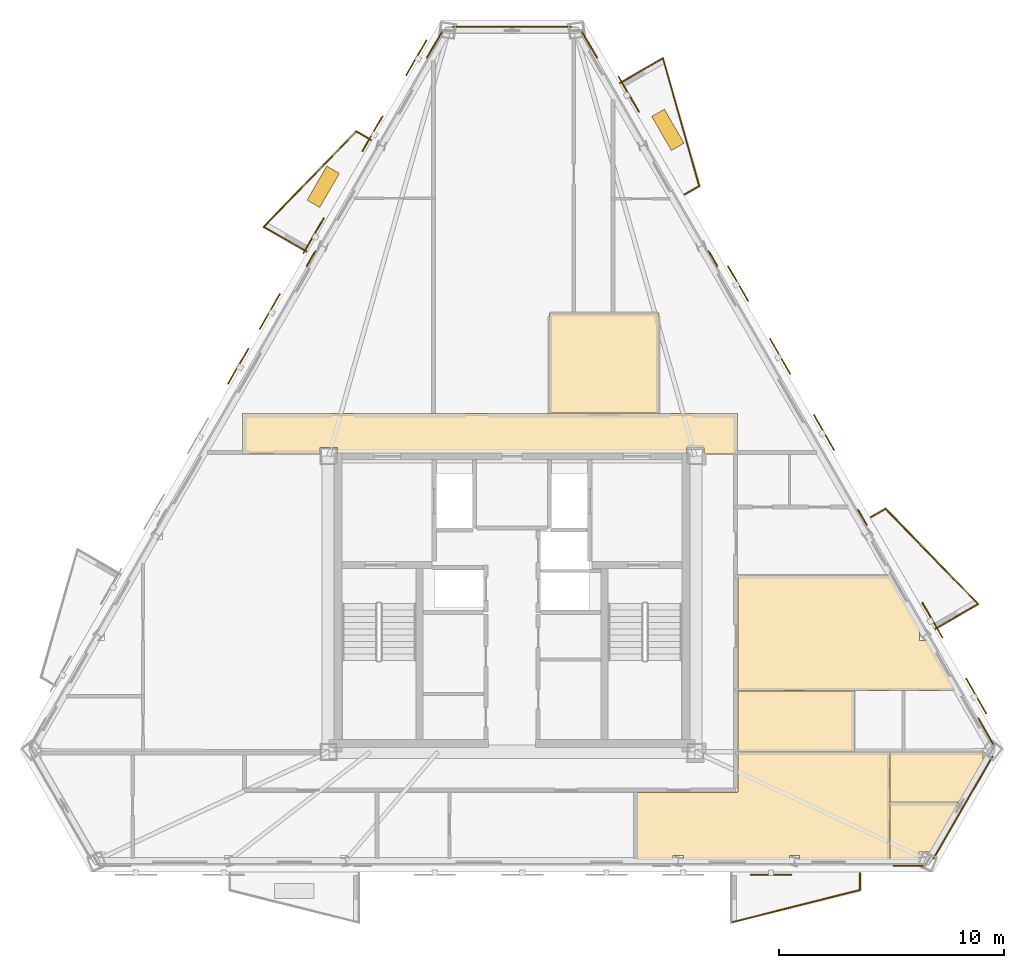
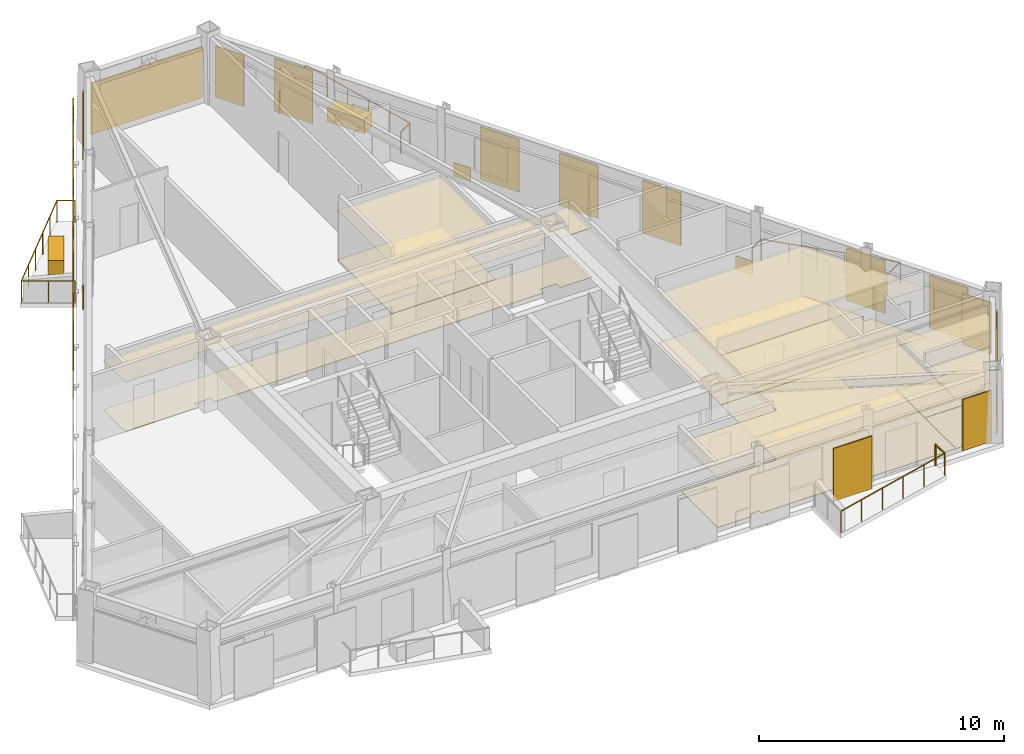
# One storey, part 8 of 8: 25 coverings, 12 shading devices, 11 railings.
"""IFC4 building model written with IfcOpenShell, lengths in metres."""

from ifc_helpers import new_model, si_unit, direction, frame, origin, origin_2d, place, context, subcontext, project, spatial, polyline, rectangle, circle, outline, extrude, material, layer, layer_set, type_object, element, save


model = new_model("IFC4")

# Units and contexts
model_context = context("Model", 3, precision=1e-05, world=origin(), true_north=direction((0.0, 1.0)))
body_context = subcontext(model_context, "Body", "Model", "MODEL_VIEW")
ifc_project = project(units=[si_unit("LENGTHUNIT", "METRE"), si_unit("AREAUNIT", "SQUARE_METRE"), si_unit("VOLUMEUNIT", "CUBIC_METRE"), si_unit("PLANEANGLEUNIT", "RADIAN"), si_unit("MASSUNIT", "GRAM", prefix="KILO")], contexts=[model_context])

# Site, building, storey
site_placement = place(None, origin())
site = spatial("IfcSite", under=ifc_project, at=site_placement, CompositionType="ELEMENT")
building_placement = place(site_placement, origin())
building = spatial("IfcBuilding", under=site, at=building_placement, Name="Oramaril Tower", CompositionType="ELEMENT")
storey_placement = place(building_placement, frame((0.0, 0.0, 241.5)))
storey = spatial("IfcBuildingStorey", under=building, at=storey_placement, Name="L64", CompositionType="ELEMENT", Elevation=241.5)

# Coverings
ifc_material_1 = material(Name="Mineral Fibre Acoustic Ceiling")
ifc_layer_1 = layer(ifc_material_1, 0.02001953125)
ifc_layer_set_1 = layer_set([ifc_layer_1], Name="CVT-CEIL")
covering_type_1 = type_object("IfcCoveringType", Name="CVT-CEIL", PredefinedType="CEILING", material=ifc_layer_set_1)
covering_1_placement = place(storey_placement, frame((0.0, 0.0, 2.471923828125)))
element("IfcCovering", 1, at=covering_1_placement, inside=storey, type_object=covering_type_1, Name="L64 Acoustic Suspended Ceiling 2", PredefinedType="CEILING", context=body_context, shape_type="SweptSolid", body=[
    extrude(outline(polyline([(47.530029296875, 24.239990234375), (46.044921875, 24.239990234375), (46.044921875, 24.544921875), (45.2548828125, 24.544921875), (45.2548828125, 24.25), (29.7451171875, 24.25), (29.7451171875, 24.544921875), (28.955078125, 24.544921875), (28.955078125, 24.239990234375), (25.52001953125, 24.239990234375), (25.52001953125, 26.050048828125), (47.530029296875, 26.050048828125), (47.530029296875, 24.239990234375)])), origin(), (0.0, 0.0, 1.0), 0.02001953125),
])
covering_2_placement = place(storey_placement, frame((0.0, 0.0, 2.471923828125)))
element("IfcCovering", 2, at=covering_2_placement, inside=storey, type_object=covering_type_1, Name="L64 Acoustic Suspended Ceiling 4", PredefinedType="CEILING", context=body_context, shape_type="SweptSolid", body=[
    extrude(outline(polyline([(44.0419921875, 30.511962890625), (44.0419921875, 26.070068359375), (39.157958984375, 26.070068359375), (39.157958984375, 30.511962890625), (44.0419921875, 30.511962890625)])), origin(), (0.0, 0.0, 1.0), 0.02001953125),
])
covering_3_placement = place(storey_placement, frame((0.0, 0.0, 2.471923828125)))
element("IfcCovering", 3, at=covering_3_placement, inside=storey, type_object=covering_type_1, Name="L64 Acoustic Suspended Ceiling 9", PredefinedType="CEILING", context=body_context, shape_type="SweptSolid", body=[
    extrude(outline(polyline([(54.29150390625, 10.991943359375), (54.29150390625, 6.21337890625), (50.30029296875, 6.21337890625), (50.30029296875, 6.3876953125), (49.843994140625, 6.3876953125), (49.843994140625, 6.21337890625), (45.119873046875, 6.21337890625), (45.119873046875, 6.3876953125), (44.670654296875, 6.3876953125), (44.670654296875, 6.21337890625), (43.06201171875, 6.21337890625), (43.06201171875, 9.199951171875), (47.530029296875, 9.199951171875), (47.531982421875, 9.2001953125), (47.533935546875, 9.200439453125), (47.535888671875, 9.200927734375), (47.53759765625, 9.201416015625), (47.539306640625, 9.202392578125), (47.541015625, 9.203369140625), (47.542724609375, 9.20458984375), (47.544189453125, 9.205810546875), (47.54541015625, 9.207275390625), (47.546630859375, 9.208984375), (47.547607421875, 9.210693359375), (47.548583984375, 9.21240234375), (47.549072265625, 9.214111328125), (47.549560546875, 9.216064453125), (47.5498046875, 9.218017578125), (47.550048828125, 9.219970703125), (47.550048828125, 10.991943359375), (54.29150390625, 10.991943359375)])), origin(), (0.0, 0.0, 1.0), 0.02001953125),
])
covering_4_placement = place(storey_placement, frame((0.0, 0.0, 2.471923828125)))
element("IfcCovering", 4, at=covering_4_placement, inside=storey, type_object=covering_type_1, Name="L64 Acoustic Suspended Ceiling 10", PredefinedType="CEILING", context=body_context, shape_type="SweptSolid", body=[
    extrude(outline(polyline([(56.100830078125, 6.5380859375), (55.605712890625, 6.5380859375), (55.605712890625, 6.21337890625), (54.311279296875, 6.21337890625), (54.311279296875, 8.73974609375), (57.371826171875, 8.73974609375), (56.100830078125, 6.5380859375)])), origin(), (0.0, 0.0, 1.0), 0.02001953125),
])
covering_5_placement = place(storey_placement, frame((0.0, 0.0, 2.471923828125)))
element("IfcCovering", 5, at=covering_5_placement, inside=storey, type_object=covering_type_1, Name="L64 Acoustic Suspended Ceiling 11", PredefinedType="CEILING", context=body_context, shape_type="SweptSolid", body=[
    extrude(outline(polyline([(58.44580078125, 10.673583984375), (58.48828125, 10.673583984375), (57.3818359375, 8.757080078125), (57.38134765625, 8.75732421875), (57.379638671875, 8.75830078125), (57.377685546875, 8.7587890625), (57.375732421875, 8.759521484375), (57.373779296875, 8.759765625), (57.371826171875, 8.759765625), (54.311279296875, 8.759765625), (54.311279296875, 10.991943359375), (58.44580078125, 10.991943359375), (58.44580078125, 10.673583984375)])), origin(), (0.0, 0.0, 1.0), 0.02001953125),
])
covering_6_placement = place(storey_placement, frame((0.0, 0.0, 2.471923828125)))
element("IfcCovering", 6, at=covering_6_placement, inside=storey, type_object=covering_type_1, Name="L64 Acoustic Suspended Ceiling 15", PredefinedType="CEILING", context=body_context, shape_type="SweptSolid", body=[
    extrude(outline(polyline([(55.64990234375, 16.4365234375), (55.635986328125, 16.4365234375), (55.635986328125, 15.951171875), (55.93017578125, 15.951171875), (57.210205078125, 13.73388671875), (47.550048828125, 13.73388671875), (47.550048828125, 18.842041015625), (54.260986328125, 18.842041015625), (55.64990234375, 16.4365234375)])), origin(), (0.0, 0.0, 1.0), 0.02001953125),
])
covering_7_placement = place(storey_placement, frame((0.0, 0.0, 2.471923828125)))
element("IfcCovering", 7, at=covering_7_placement, inside=storey, type_object=covering_type_1, Name="L64 Acoustic Suspended Ceiling 16", PredefinedType="CEILING", context=body_context, shape_type="SweptSolid", body=[
    extrude(outline(polyline([(52.728271484375, 11.011962890625), (47.550048828125, 11.011962890625), (47.550048828125, 11.030029296875), (47.5498046875, 11.031982421875), (47.549560546875, 11.033935546875), (47.549072265625, 11.035888671875), (47.548583984375, 11.03759765625), (47.547607421875, 11.039306640625), (47.54736328125, 11.0400390625), (47.547607421875, 11.04052734375), (47.548583984375, 11.042236328125), (47.549072265625, 11.044189453125), (47.549560546875, 11.046142578125), (47.5498046875, 11.048095703125), (47.550048828125, 11.050048828125), (47.550048828125, 13.714111328125), (52.728271484375, 13.714111328125), (52.728271484375, 11.011962890625)])), origin(), (0.0, 0.0, 1.0), 0.02001953125),
])
ifc_material_2 = material(Name="Warm Cream Limestone", Category="masonry")
ifc_layer_2 = layer(ifc_material_2, 0.050048828125)
ifc_layer_set_2 = layer_set([ifc_layer_2], Name="CVT-CLD")
covering_type_2 = type_object("IfcCoveringType", Name="CVT-CLD", PredefinedType="CLADDING", material=ifc_layer_set_2)
covering_8_placement = place(storey_placement, frame((55.12548828125, 5.9375, 0.0400390625), z_axis=(0.0, 0.0, 1.0), x_axis=(1.0, 0.0, 0.0)))
element("IfcCovering", 8, at=covering_8_placement, inside=storey, type_object=covering_type_2, Name="L64 Warm Cream Limestone Cladding", PredefinedType="CLADDING", context=body_context, shape_type="SweptSolid", body=[
    extrude(rectangle(XDim=1.35009765625, YDim=0.050048828125, at=origin_2d()), origin(), (0.0, 0.0, 1.0), 2.556884765625),
])
covering_9_placement = place(storey_placement, frame((57.56201171875, 8.51708984375, 0.0400390625), z_axis=(0.0, 0.0, 1.0), x_axis=(0.500001511499, 0.866024531118, 0.0)))
element("IfcCovering", 9, at=covering_9_placement, inside=storey, type_object=covering_type_2, Name="L64 Warm Cream Limestone Cladding", PredefinedType="CLADDING", context=body_context, shape_type="SweptSolid", body=[
    extrude(rectangle(XDim=5.263671875, YDim=0.050048828125, at=origin_2d()), origin(), (0.0, 0.0, 1.0), 2.556884765625),
])
for number, where, z_axis, x_axis, name in (
    (10, (58.577880859375, 11.9169921875, 0.0400390625), (0.0, 0.0, 1.0), (-0.4999984885, 0.866026276448, 0.0), "L64 Warm Cream Limestone Cladding"),
    (11, (40.952392578125, 42.445556640625, 0.0400390625), (0.0, 0.0, 1.0), (-0.4999984885, 0.866026276448, 0.0), "L64 Warm Cream Limestone Cladding"),
):
    element("IfcCovering", number, at=place(storey_placement, frame(where, z_axis=z_axis, x_axis=x_axis)), inside=storey, type_object=covering_type_2, Name=name, PredefinedType="CLADDING", context=body_context, shape_type="SweptSolid", body=[
        extrude(rectangle(XDim=1.35009765625, YDim=0.050048828125, at=origin_2d()), origin(), (0.0, 0.0, 1.0), 2.556884765625),
    ])
for number, where, z_axis, x_axis, name in (
    (12, (53.0908203125, 21.421142578125, 0.0400390625), (0.0, 0.0, 1.0), (-0.4999984885, 0.866026276448, 0.0), "L64 Warm Cream Limestone Spandrel Cladding"),
    (13, (46.439453125, 32.94140625, 0.0400390625), (0.0, 0.0, 1.0), (-0.4999984885, 0.866026276448, 0.0), "L64 Warm Cream Limestone Spandrel Cladding"),
):
    element("IfcCovering", number, at=place(storey_placement, frame(where, z_axis=z_axis, x_axis=x_axis)), inside=storey, type_object=covering_type_2, Name=name, PredefinedType="CLADDING", context=body_context, shape_type="SweptSolid", body=[
        extrude(rectangle(XDim=0.800048828125, YDim=0.050048828125, at=origin_2d()), origin(), (0.0, 0.0, 1.0), 0.679931640625),
    ])
covering_10_placement = place(storey_placement, frame((37.5, 43.265625, 0.0400390625), z_axis=(0.0, 0.0, 1.0), x_axis=(-1.0, 0.0, 0.0)))
element("IfcCovering", 14, at=covering_10_placement, inside=storey, type_object=covering_type_2, Name="L64 Warm Cream Limestone Cladding", PredefinedType="CLADDING", context=body_context, shape_type="SweptSolid", body=[
    extrude(rectangle(XDim=5.263671875, YDim=0.050048828125, at=origin_2d()), origin(), (0.0, 0.0, 1.0), 2.556884765625),
])
covering_11_placement = place(storey_placement, frame((34.047607421875, 42.445556640625, 0.0400390625), z_axis=(0.0, 0.0, 1.0), x_axis=(-0.4999984885, -0.866026276448, 0.0)))
element("IfcCovering", 15, at=covering_11_placement, inside=storey, type_object=covering_type_2, Name="L64 Warm Cream Limestone Cladding", PredefinedType="CLADDING", context=body_context, shape_type="SweptSolid", body=[
    extrude(rectangle(XDim=1.35009765625, YDim=0.050048828125, at=origin_2d()), origin(), (0.0, 0.0, 1.0), 2.556884765625),
])
covering_12_placement = place(storey_placement, frame((28.560546875, 32.94140625, 0.0400390625), z_axis=(0.0, 0.0, 1.0), x_axis=(-0.4999984885, -0.866026276448, 0.0)))
element("IfcCovering", 16, at=covering_12_placement, inside=storey, type_object=covering_type_2, Name="L64 Warm Cream Limestone Spandrel Cladding", PredefinedType="CLADDING", context=body_context, shape_type="SweptSolid", body=[
    extrude(rectangle(XDim=0.800048828125, YDim=0.050048828125, at=origin_2d()), origin(), (0.0, 0.0, 1.0), 0.679931640625),
])
for number, where, z_axis, x_axis, name in (
    (17, (44.434326171875, 38.67138671875, 0.0), (0.0, 0.0, 1.0), (-0.4999984885, 0.866026276448, 0.0), "L64 Structural Tree Planter Box L64-BAL-NE2"),
    (18, (29.10302734375, 36.138427734375, 0.0), (0.0, 0.0, 1.0), (-0.4999984885, -0.866026276448, 0.0), "L64 Structural Tree Planter Box L64-BAL-NW1"),
):
    element("IfcCovering", number, at=place(storey_placement, frame(where, z_axis=z_axis, x_axis=x_axis)), inside=storey, type_object=covering_type_2, Name=name, PredefinedType="CLADDING", context=body_context, shape_type="SweptSolid", body=[
        extrude(rectangle(XDim=1.75, YDim=0.64990234375, at=origin_2d()), origin(), (0.0, 0.0, 1.0), 0.699951171875),
    ])
ifc_material_3 = material(Name="Honed Quartzite Stone Flooring", Category="masonry")
ifc_layer_3 = layer(ifc_material_3, 0.02490234375)
ifc_layer_set_3 = layer_set([ifc_layer_3], Name="CVT-FLR")
covering_type_3 = type_object("IfcCoveringType", Name="CVT-FLR", PredefinedType="FLOORING", material=ifc_layer_set_3)
covering_13_placement = place(storey_placement, origin())
element("IfcCovering", 19, at=covering_13_placement, inside=storey, type_object=covering_type_3, Name="L64 Honed Stone Floor Finish 2", PredefinedType="FLOORING", context=body_context, shape_type="SweptSolid", body=[
    extrude(outline(polyline([(47.530029296875, 24.239990234375), (46.044921875, 24.239990234375), (46.044921875, 24.544921875), (45.2548828125, 24.544921875), (45.2548828125, 24.25), (29.7451171875, 24.25), (29.7451171875, 24.544921875), (28.955078125, 24.544921875), (28.955078125, 24.239990234375), (25.52001953125, 24.239990234375), (25.52001953125, 26.050048828125), (47.530029296875, 26.050048828125), (47.530029296875, 24.239990234375)])), origin(), (0.0, 0.0, 1.0), 0.02490234375),
])
covering_14_placement = place(storey_placement, origin())
element("IfcCovering", 20, at=covering_14_placement, inside=storey, type_object=covering_type_3, Name="L64 Honed Stone Floor Finish 4", PredefinedType="FLOORING", context=body_context, shape_type="SweptSolid", body=[
    extrude(outline(polyline([(44.0419921875, 30.511962890625), (44.0419921875, 26.070068359375), (39.157958984375, 26.070068359375), (39.157958984375, 30.511962890625), (44.0419921875, 30.511962890625)])), origin(), (0.0, 0.0, 1.0), 0.02490234375),
])
covering_15_placement = place(storey_placement, origin())
element("IfcCovering", 21, at=covering_15_placement, inside=storey, type_object=covering_type_3, Name="L64 Honed Stone Floor Finish 9", PredefinedType="FLOORING", context=body_context, shape_type="SweptSolid", body=[
    extrude(outline(polyline([(54.29150390625, 10.991943359375), (54.29150390625, 6.21337890625), (50.30029296875, 6.21337890625), (50.30029296875, 6.3876953125), (49.843994140625, 6.3876953125), (49.843994140625, 6.21337890625), (45.119873046875, 6.21337890625), (45.119873046875, 6.3876953125), (44.670654296875, 6.3876953125), (44.670654296875, 6.21337890625), (43.06201171875, 6.21337890625), (43.06201171875, 9.199951171875), (47.530029296875, 9.199951171875), (47.531982421875, 9.2001953125), (47.533935546875, 9.200439453125), (47.535888671875, 9.200927734375), (47.53759765625, 9.201416015625), (47.539306640625, 9.202392578125), (47.541015625, 9.203369140625), (47.542724609375, 9.20458984375), (47.544189453125, 9.205810546875), (47.54541015625, 9.207275390625), (47.546630859375, 9.208984375), (47.547607421875, 9.210693359375), (47.548583984375, 9.21240234375), (47.549072265625, 9.214111328125), (47.549560546875, 9.216064453125), (47.5498046875, 9.218017578125), (47.550048828125, 9.219970703125), (47.550048828125, 10.991943359375), (54.29150390625, 10.991943359375)])), origin(), (0.0, 0.0, 1.0), 0.02490234375),
])
covering_16_placement = place(storey_placement, origin())
element("IfcCovering", 22, at=covering_16_placement, inside=storey, type_object=covering_type_3, Name="L64 Honed Stone Floor Finish 10", PredefinedType="FLOORING", context=body_context, shape_type="SweptSolid", body=[
    extrude(outline(polyline([(56.100830078125, 6.5380859375), (55.605712890625, 6.5380859375), (55.605712890625, 6.21337890625), (54.311279296875, 6.21337890625), (54.311279296875, 8.73974609375), (57.371826171875, 8.73974609375), (56.100830078125, 6.5380859375)])), origin(), (0.0, 0.0, 1.0), 0.02490234375),
])
covering_17_placement = place(storey_placement, origin())
element("IfcCovering", 23, at=covering_17_placement, inside=storey, type_object=covering_type_3, Name="L64 Honed Stone Floor Finish 11", PredefinedType="FLOORING", context=body_context, shape_type="SweptSolid", body=[
    extrude(outline(polyline([(58.44580078125, 10.673583984375), (58.48828125, 10.673583984375), (57.3818359375, 8.757080078125), (57.38134765625, 8.75732421875), (57.379638671875, 8.75830078125), (57.377685546875, 8.7587890625), (57.375732421875, 8.759521484375), (57.373779296875, 8.759765625), (57.371826171875, 8.759765625), (54.311279296875, 8.759765625), (54.311279296875, 10.991943359375), (58.44580078125, 10.991943359375), (58.44580078125, 10.673583984375)])), origin(), (0.0, 0.0, 1.0), 0.02490234375),
])
covering_18_placement = place(storey_placement, origin())
element("IfcCovering", 24, at=covering_18_placement, inside=storey, type_object=covering_type_3, Name="L64 Honed Stone Floor Finish 15", PredefinedType="FLOORING", context=body_context, shape_type="SweptSolid", body=[
    extrude(outline(polyline([(55.64990234375, 16.4365234375), (55.635986328125, 16.4365234375), (55.635986328125, 15.951171875), (55.93017578125, 15.951171875), (57.210205078125, 13.73388671875), (47.550048828125, 13.73388671875), (47.550048828125, 18.842041015625), (54.260986328125, 18.842041015625), (55.64990234375, 16.4365234375)])), origin(), (0.0, 0.0, 1.0), 0.02490234375),
])
covering_19_placement = place(storey_placement, origin())
element("IfcCovering", 25, at=covering_19_placement, inside=storey, type_object=covering_type_3, Name="L64 Honed Stone Floor Finish 16", PredefinedType="FLOORING", context=body_context, shape_type="SweptSolid", body=[
    extrude(outline(polyline([(52.728271484375, 11.011962890625), (47.550048828125, 11.011962890625), (47.550048828125, 11.030029296875), (47.5498046875, 11.031982421875), (47.549560546875, 11.033935546875), (47.549072265625, 11.035888671875), (47.548583984375, 11.03759765625), (47.547607421875, 11.039306640625), (47.54736328125, 11.0400390625), (47.547607421875, 11.04052734375), (47.548583984375, 11.042236328125), (47.549072265625, 11.044189453125), (47.549560546875, 11.046142578125), (47.5498046875, 11.048095703125), (47.550048828125, 11.050048828125), (47.550048828125, 13.714111328125), (52.728271484375, 13.714111328125), (52.728271484375, 11.011962890625)])), origin(), (0.0, 0.0, 1.0), 0.02490234375),
])

# Railings
ifc_material_4 = material(Name="Stainless Steel 316L", Category="steel")
railing_type = type_object("IfcRailingType", Name="RLT-GRD", PredefinedType="GUARDRAIL", material=ifc_material_4)
railing_1_placement = place(storey_placement, frame((52.981201171875, 5.597412109375, 0.0)))
element("IfcRailing", 26, at=railing_1_placement, inside=storey, type_object=railing_type, Name="L64 Balcony Guardrail L64-BAL-S2.1", PredefinedType="GUARDRAIL", context=body_context, shape_type="SweptSolid", body=[
    extrude(circle(Radius=0.02392578125, at=origin_2d()), frame((0.0, 0.0, 1.076171875), z_axis=(0.0, -1.0, 0.0), x_axis=(1.0, 0.0, 0.0)), (0.0, 0.0, 1.0), 0.741943359375),
    extrude(circle(Radius=0.02099609375, at=origin_2d()), origin(), (0.0, 0.0, 1.0), 1.052001953125),
    extrude(circle(Radius=0.02099609375, at=origin_2d()), frame((0.0, -0.741943359375, 0.0)), (0.0, 0.0, 1.0), 1.052001953125),
])
railing_2_placement = place(storey_placement, frame((52.981201171875, 4.85546875, 0.0)))
element("IfcRailing", 27, at=railing_2_placement, inside=storey, type_object=railing_type, Name="L64 Balcony Guardrail L64-BAL-S2.2", PredefinedType="GUARDRAIL", context=body_context, shape_type="SweptSolid", body=[
    extrude(circle(Radius=0.02392578125, at=origin_2d()), frame((0.0, 0.0, 1.076171875), z_axis=(-0.969443611257, -0.245314256807, 0.0), x_axis=(0.245314256807, -0.969443611257, 0.0)), (0.0, 0.0, 1.0), 5.91064453125),
    extrude(circle(Radius=0.02099609375, at=origin_2d()), origin(), (0.0, 0.0, 1.0), 1.052001953125),
    extrude(circle(Radius=0.02099609375, at=origin_2d()), frame((-1.14599609375, -0.2900390625, 0.0)), (0.0, 0.0, 1.0), 1.052001953125),
    extrude(circle(Radius=0.02099609375, at=origin_2d()), frame((-2.2919921875, -0.580078125, 0.0)), (0.0, 0.0, 1.0), 1.052001953125),
    extrude(circle(Radius=0.02099609375, at=origin_2d()), frame((-3.43798828125, -0.869873046875, 0.0)), (0.0, 0.0, 1.0), 1.052001953125),
    extrude(circle(Radius=0.02099609375, at=origin_2d()), frame((-4.583984375, -1.159912109375, 0.0)), (0.0, 0.0, 1.0), 1.052001953125),
    extrude(circle(Radius=0.02099609375, at=origin_2d()), frame((-5.72998046875, -1.449951171875, 0.0)), (0.0, 0.0, 1.0), 1.052001953125),
])
railing_3_placement = place(storey_placement, frame((53.47265625, 21.439697265625, 0.0)))
element("IfcRailing", 28, at=railing_3_placement, inside=storey, type_object=railing_type, Name="L64 Balcony Guardrail L64-BAL-NE1.1", PredefinedType="GUARDRAIL", context=body_context, shape_type="SweptSolid", body=[
    extrude(circle(Radius=0.02392578125, at=origin_2d()), frame((0.0, 0.0, 1.076171875), z_axis=(0.866108878364, 0.499855389907, 0.0), x_axis=(-0.499855389907, 0.866108878364, 0.0)), (0.0, 0.0, 1.0), 0.741943359375),
    extrude(circle(Radius=0.02099609375, at=origin_2d()), origin(), (0.0, 0.0, 1.0), 1.052001953125),
    extrude(circle(Radius=0.02099609375, at=origin_2d()), frame((0.642578125, 0.370849609375, 0.0)), (0.0, 0.0, 1.0), 1.052001953125),
])
railing_4_placement = place(storey_placement, frame((54.115234375, 21.810546875, 0.0)))
element("IfcRailing", 29, at=railing_4_placement, inside=storey, type_object=railing_type, Name="L64 Balcony Guardrail L64-BAL-NE1.2", PredefinedType="GUARDRAIL", context=body_context, shape_type="SweptSolid", body=[
    extrude(circle(Radius=0.02392578125, at=origin_2d()), frame((0.0, 0.0, 1.076171875), z_axis=(0.697186915353, -0.716889395277, 0.0), x_axis=(0.716889395277, 0.697186915353, 0.0)), (0.0, 0.0, 1.0), 5.91064453125),
    extrude(circle(Radius=0.02099609375, at=origin_2d()), origin(), (0.0, 0.0, 1.0), 1.052001953125),
    extrude(circle(Radius=0.02099609375, at=origin_2d()), frame((0.82421875, -0.847412109375, 0.0)), (0.0, 0.0, 1.0), 1.052001953125),
    extrude(circle(Radius=0.02099609375, at=origin_2d()), frame((1.6484375, -1.69482421875, 0.0)), (0.0, 0.0, 1.0), 1.052001953125),
    extrude(circle(Radius=0.02099609375, at=origin_2d()), frame((2.472412109375, -2.54248046875, 0.0)), (0.0, 0.0, 1.0), 1.052001953125),
    extrude(circle(Radius=0.02099609375, at=origin_2d()), frame((3.296630859375, -3.389892578125, 0.0)), (0.0, 0.0, 1.0), 1.052001953125),
    extrude(circle(Radius=0.02099609375, at=origin_2d()), frame((4.120849609375, -4.2373046875, 0.0)), (0.0, 0.0, 1.0), 1.052001953125),
])
railing_5_placement = place(storey_placement, frame((58.236083984375, 17.5732421875, 0.0)))
element("IfcRailing", 30, at=railing_5_placement, inside=storey, type_object=railing_type, Name="L64 Balcony Guardrail L64-BAL-NE1.3", PredefinedType="GUARDRAIL", context=body_context, shape_type="SweptSolid", body=[
    extrude(circle(Radius=0.02392578125, at=origin_2d()), frame((0.0, 0.0, 1.076171875), z_axis=(-0.866048343933, -0.499960264392, 0.0), x_axis=(0.499960264392, -0.866048343933, 0.0)), (0.0, 0.0, 1.0), 2.192138671875),
    extrude(circle(Radius=0.02099609375, at=origin_2d()), origin(), (0.0, 0.0, 1.0), 1.052001953125),
    extrude(circle(Radius=0.02099609375, at=origin_2d()), frame((-0.94921875, -0.5478515625, 0.0)), (0.0, 0.0, 1.0), 1.052001953125),
    extrude(circle(Radius=0.02099609375, at=origin_2d()), frame((-1.8984375, -1.095947265625, 0.0)), (0.0, 0.0, 1.0), 1.052001953125),
])
railing_6_placement = place(storey_placement, frame((42.319091796875, 40.75830078125, 0.0)))
element("IfcRailing", 31, at=railing_6_placement, inside=storey, type_object=railing_type, Name="L64 Balcony Guardrail L64-BAL-NE2.1", PredefinedType="GUARDRAIL", context=body_context, shape_type="SweptSolid", body=[
    extrude(circle(Radius=0.02392578125, at=origin_2d()), frame((0.0, 0.0, 1.076171875), z_axis=(0.865972267571, 0.50009202333, 0.0), x_axis=(-0.50009202333, 0.865972267571, 0.0)), (0.0, 0.0, 1.0), 2.19189453125),
    extrude(circle(Radius=0.02099609375, at=origin_2d()), origin(), (0.0, 0.0, 1.0), 1.052001953125),
    extrude(circle(Radius=0.02099609375, at=origin_2d()), frame((0.94921875, 0.548095703125, 0.0)), (0.0, 0.0, 1.0), 1.052001953125),
    extrude(circle(Radius=0.02099609375, at=origin_2d()), frame((1.898193359375, 1.09619140625, 0.0)), (0.0, 0.0, 1.0), 1.052001953125),
])
railing_7_placement = place(storey_placement, frame((44.21728515625, 41.8544921875, 0.0)))
element("IfcRailing", 32, at=railing_7_placement, inside=storey, type_object=railing_type, Name="L64 Balcony Guardrail L64-BAL-NE2.2", PredefinedType="GUARDRAIL", context=body_context, shape_type="SweptSolid", body=[
    extrude(circle(Radius=0.02392578125, at=origin_2d()), frame((0.0, 0.0, 1.076171875), z_axis=(0.27224886544, -0.962226873074, 0.0), x_axis=(0.962226873074, 0.27224886544, 0.0)), (0.0, 0.0, 1.0), 5.910400390625),
    extrude(circle(Radius=0.02099609375, at=origin_2d()), origin(), (0.0, 0.0, 1.0), 1.052001953125),
    extrude(circle(Radius=0.02099609375, at=origin_2d()), frame((0.32177734375, -1.137451171875, 0.0)), (0.0, 0.0, 1.0), 1.052001953125),
    extrude(circle(Radius=0.02099609375, at=origin_2d()), frame((0.6435546875, -2.27490234375, 0.0)), (0.0, 0.0, 1.0), 1.052001953125),
    extrude(circle(Radius=0.02099609375, at=origin_2d()), frame((0.965576171875, -3.412353515625, 0.0)), (0.0, 0.0, 1.0), 1.052001953125),
    extrude(circle(Radius=0.02099609375, at=origin_2d()), frame((1.287353515625, -4.5498046875, 0.0)), (0.0, 0.0, 1.0), 1.052001953125),
    extrude(circle(Radius=0.02099609375, at=origin_2d()), frame((1.609130859375, -5.687255859375, 0.0)), (0.0, 0.0, 1.0), 1.052001953125),
])
railing_8_placement = place(storey_placement, frame((45.826416015625, 36.167236328125, 0.0)))
element("IfcRailing", 33, at=railing_8_placement, inside=storey, type_object=railing_type, Name="L64 Balcony Guardrail L64-BAL-NE2.3", PredefinedType="GUARDRAIL", context=body_context, shape_type="SweptSolid", body=[
    extrude(circle(Radius=0.02392578125, at=origin_2d()), frame((0.0, 0.0, 1.076171875), z_axis=(-0.865884080729, -0.500244698863, 0.0), x_axis=(0.500244698863, -0.865884080729, 0.0)), (0.0, 0.0, 1.0), 0.741943359375),
    extrude(circle(Radius=0.02099609375, at=origin_2d()), origin(), (0.0, 0.0, 1.0), 1.052001953125),
    extrude(circle(Radius=0.02099609375, at=origin_2d()), frame((-0.642333984375, -0.37109375, 0.0)), (0.0, 0.0, 1.0), 1.052001953125),
])
railing_9_placement = place(storey_placement, frame((28.353515625, 33.262939453125, 0.0)))
element("IfcRailing", 34, at=railing_9_placement, inside=storey, type_object=railing_type, Name="L64 Balcony Guardrail L64-BAL-NW1.1", PredefinedType="GUARDRAIL", context=body_context, shape_type="SweptSolid", body=[
    extrude(circle(Radius=0.02392578125, at=origin_2d()), frame((0.0, 0.0, 1.076171875), z_axis=(-0.866048343933, 0.499960264392, 0.0), x_axis=(-0.499960264392, -0.866048343933, 0.0)), (0.0, 0.0, 1.0), 2.192138671875),
    extrude(circle(Radius=0.02099609375, at=origin_2d()), origin(), (0.0, 0.0, 1.0), 1.052001953125),
    extrude(circle(Radius=0.02099609375, at=origin_2d()), frame((-0.94921875, 0.5478515625, 0.0)), (0.0, 0.0, 1.0), 1.052001953125),
    extrude(circle(Radius=0.02099609375, at=origin_2d()), frame((-1.8984375, 1.095947265625, 0.0)), (0.0, 0.0, 1.0), 1.052001953125),
])
railing_10_placement = place(storey_placement, frame((26.455078125, 34.35888671875, 0.0)))
element("IfcRailing", 35, at=railing_10_placement, inside=storey, type_object=railing_type, Name="L64 Balcony Guardrail L64-BAL-NW1.2", PredefinedType="GUARDRAIL", context=body_context, shape_type="SweptSolid", body=[
    extrude(circle(Radius=0.02392578125, at=origin_2d()), frame((0.0, 0.0, 1.076171875), z_axis=(0.697186915353, 0.716889395277, 0.0), x_axis=(-0.716889395277, 0.697186915353, 0.0)), (0.0, 0.0, 1.0), 5.91064453125),
    extrude(circle(Radius=0.02099609375, at=origin_2d()), origin(), (0.0, 0.0, 1.0), 1.052001953125),
    extrude(circle(Radius=0.02099609375, at=origin_2d()), frame((0.82421875, 0.847412109375, 0.0)), (0.0, 0.0, 1.0), 1.052001953125),
    extrude(circle(Radius=0.02099609375, at=origin_2d()), frame((1.6484375, 1.69482421875, 0.0)), (0.0, 0.0, 1.0), 1.052001953125),
    extrude(circle(Radius=0.02099609375, at=origin_2d()), frame((2.472412109375, 2.54248046875, 0.0)), (0.0, 0.0, 1.0), 1.052001953125),
    extrude(circle(Radius=0.02099609375, at=origin_2d()), frame((3.296630859375, 3.389892578125, 0.0)), (0.0, 0.0, 1.0), 1.052001953125),
    extrude(circle(Radius=0.02099609375, at=origin_2d()), frame((4.120849609375, 4.2373046875, 0.0)), (0.0, 0.0, 1.0), 1.052001953125),
])
railing_11_placement = place(storey_placement, frame((30.575927734375, 38.59619140625, 0.0)))
element("IfcRailing", 36, at=railing_11_placement, inside=storey, type_object=railing_type, Name="L64 Balcony Guardrail L64-BAL-NW1.3", PredefinedType="GUARDRAIL", context=body_context, shape_type="SweptSolid", body=[
    extrude(circle(Radius=0.02392578125, at=origin_2d()), frame((0.0, 0.0, 1.076171875), z_axis=(0.866108878364, -0.499855389907, 0.0), x_axis=(0.499855389907, 0.866108878364, 0.0)), (0.0, 0.0, 1.0), 0.741943359375),
    extrude(circle(Radius=0.02099609375, at=origin_2d()), origin(), (0.0, 0.0, 1.0), 1.052001953125),
    extrude(circle(Radius=0.02099609375, at=origin_2d()), frame((0.642578125, -0.370849609375, 0.0)), (0.0, 0.0, 1.0), 1.052001953125),
])

# Shading devices
for number, where, z_axis, x_axis, name in (
    (37, (49.02294921875, 5.525390625, -0.02001953125), (0.0, 0.0, 1.0), (1.0, 0.0, 0.0), "L64 Perforated Ceramic Solar Screen"),
    (38, (58.150634765625, 13.481201171875, -0.02001953125), (0.0, 0.0, 1.0), (-0.4999984885, 0.866026276448, 0.0), "L64 Perforated Ceramic Solar Screen"),
    (39, (56.20068359375, 16.858642578125, -0.02001953125), (0.0, 0.0, 1.0), (-0.4999984885, 0.866026276448, 0.0), "L64 Perforated Ceramic Solar Screen"),
    (40, (42.694091796875, 40.25244140625, -0.02001953125), (0.0, 0.0, 1.0), (-0.4999984885, 0.866026276448, 0.0), "L64 Perforated Ceramic Solar Screen"),
    (41, (51.379638671875, 25.208740234375, -0.02001953125), (0.0, 0.0, 1.0), (-0.4999984885, 0.866026276448, 0.0), "L64 Perforated Ceramic Solar Screen"),
    (42, (49.4296875, 28.586181640625, -0.02001953125), (0.0, 0.0, 1.0), (-0.4999984885, 0.866026276448, 0.0), "L64 Perforated Ceramic Solar Screen"),
    (43, (47.55810546875, 31.827880859375, -0.02001953125), (0.0, 0.0, 1.0), (-0.4999984885, 0.866026276448, 0.0), "L64 Perforated Ceramic Solar Screen"),
    (44, (28.674560546875, 33.962890625, -0.02001953125), (0.0, 0.0, 1.0), (-0.4999984885, -0.866026276448, 0.0), "L64 Perforated Ceramic Solar Screen"),
    (45, (26.724609375, 30.58544921875, -0.02001953125), (0.0, 0.0, 1.0), (-0.4999984885, -0.866026276448, 0.0), "L64 Perforated Ceramic Solar Screen"),
    (46, (25.32080078125, 28.154296875, -0.02001953125), (0.0, 0.0, 1.0), (-0.4999984885, -0.866026276448, 0.0), "L64 Perforated Ceramic Solar Screen"),
    (47, (33.2451171875, 41.87939453125, -0.02001953125), (0.0, 0.0, 1.0), (-0.4999984885, -0.866026276448, 0.0), "L64 Perforated Ceramic Solar Screen"),
    (48, (31.295166015625, 38.501953125, -0.02001953125), (0.0, 0.0, 1.0), (-0.4999984885, -0.866026276448, 0.0), "L64 Perforated Ceramic Solar Screen"),
):
    element("IfcShadingDevice", number, at=place(storey_placement, frame(where, z_axis=z_axis, x_axis=x_axis)), inside=storey, Name=name, ObjectType="SCREEN", PredefinedType="USERDEFINED", context=body_context, shape_type="SweptSolid", body=[
        extrude(rectangle(XDim=1.8330078125, YDim=0.050048828125, at=origin_2d()), origin(), (0.0, 0.0, 1.0), 2.636962890625),
    ])

save(model, "model.ifc")
